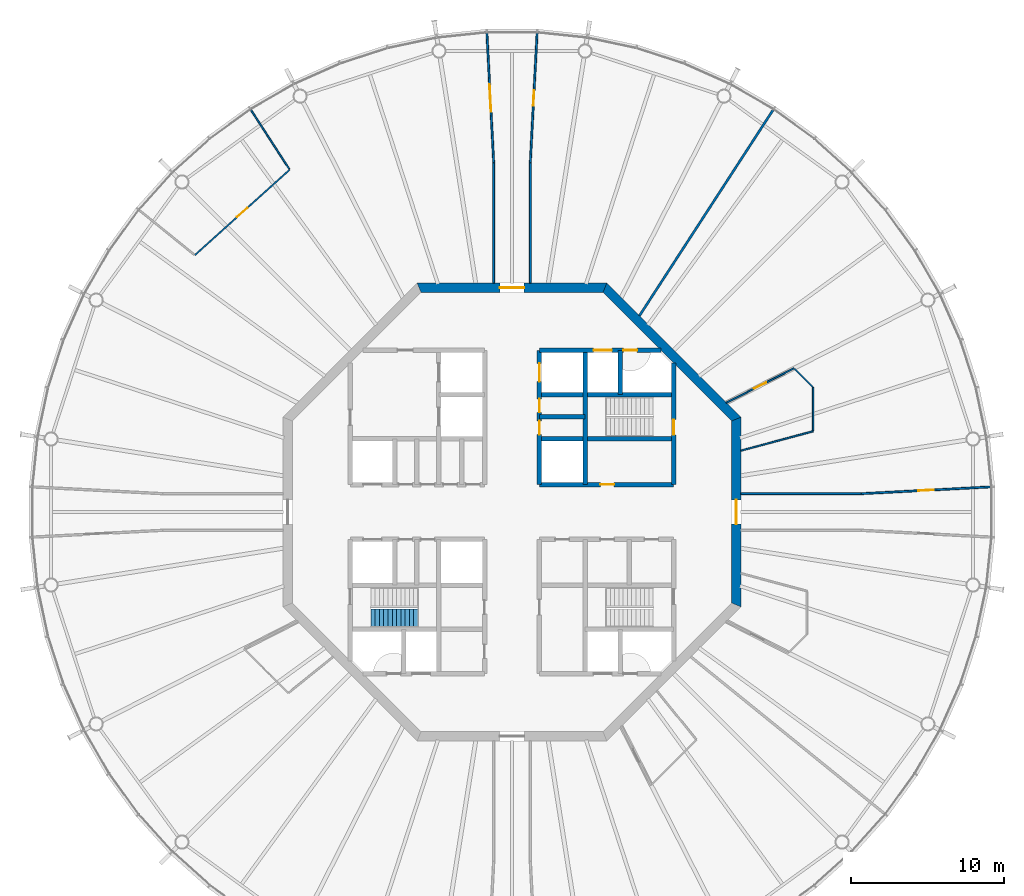
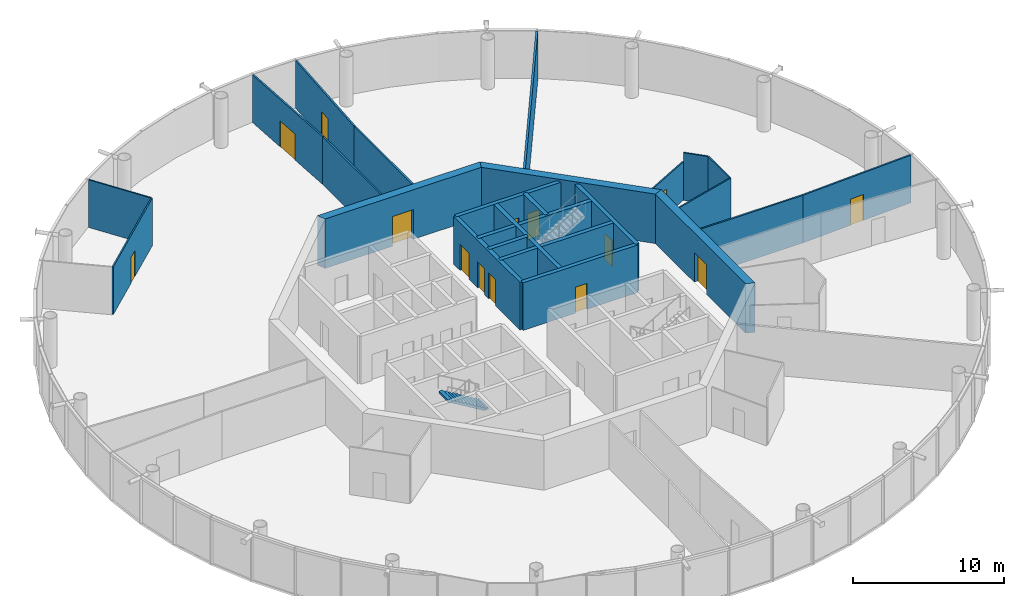
# One storey, part 5 of 18: 25 walls, 14 doors, 1 stair flight, 14 openings, 1 element without a shape of its own.
"""IFC4 building model written with IfcOpenShell, lengths in metres."""

import ifcopenshell
import ifcopenshell.guid

model = None  # the IFC model being written
_history = None  # IfcOwnerHistory: only IFC2X3 demands one
_inside = {}  # id of a spatial element -> (the spatial element, [elements in it])
_under = {}  # id of a project, library or spatial element -> (it, [spatial elements below it])
_declared = {}  # id of a project -> (the project, [libraries it declares])
_typed = {}  # id of a type object -> (the type object, [elements of that type])
_made_of = {}  # id of a material, layer set ... -> (it, [elements and type objects made of it])


def new_model(schema):
    """Start an empty IFC model of exactly this schema.

    Asked for "IFC4X3", IfcOpenShell would pick the latest addendum, in which some entities
    have other attributes; the version numbers below select the first issue.
    IFC2X3 requires an IfcOwnerHistory on every rooted entity: one is made here for all.
    """
    global model, _history
    if schema == "IFC4X3":
        model = ifcopenshell.file(schema_version=(4, 3, 0, 0))
    else:
        model = ifcopenshell.file(schema=schema)
    _inside.clear()
    _under.clear()
    _declared.clear()
    _typed.clear()
    _made_of.clear()
    _history = None
    if model.schema == "IFC2X3":
        org = make("IfcOrganization", Name="unknown")
        user = make(
            "IfcPersonAndOrganization",
            ThePerson=make("IfcPerson", FamilyName="unknown"),
            TheOrganization=org,
        )
        app = make(
            "IfcApplication",
            ApplicationDeveloper=org,
            Version="unknown",
            ApplicationFullName="unknown",
            ApplicationIdentifier="unknown",
        )
        _history = make(
            "IfcOwnerHistory",
            OwningUser=user,
            OwningApplication=app,
            ChangeAction="ADDED",
            CreationDate=0,
        )
    return model


def make(cls, **values):
    """One entity of the class cls with the attributes given. An attribute that is None is left unset."""
    return model.create_entity(
        cls, **{name: value for name, value in values.items() if value is not None}
    )


def rooted(cls, **values):
    """An entity with a GlobalId (a new one), such as an element, a storey or a relation."""
    return make(cls, GlobalId=ifcopenshell.guid.new(), OwnerHistory=_history, **values)


def si_unit(unit_type, name, prefix=None):
    """IfcSIUnit, for example si_unit("LENGTHUNIT", "METRE", prefix="MILLI")."""
    return make("IfcSIUnit", UnitType=unit_type, Prefix=prefix, Name=name)


def assignment(units):
    """IfcUnitAssignment: the units of a project."""
    return None if units is None else make("IfcUnitAssignment", Units=units)


def point(xyz):
    """IfcCartesianPoint."""
    return None if xyz is None else make("IfcCartesianPoint", Coordinates=xyz)


def direction(xyz):
    """IfcDirection."""
    return None if xyz is None else make("IfcDirection", DirectionRatios=xyz)


def frame(location, z_axis=None, x_axis=None):
    """IfcAxis2Placement3D, a coordinate frame: its origin and axes. An axis left out is left unset."""
    return make(
        "IfcAxis2Placement3D",
        Location=point(location),
        Axis=direction(z_axis),
        RefDirection=direction(x_axis),
    )


def frame_2d(location, x_axis=None):
    """IfcAxis2Placement2D, a coordinate frame in the plane: its origin and x axis."""
    return make(
        "IfcAxis2Placement2D", Location=point(location), RefDirection=direction(x_axis)
    )


def origin():
    """The frame at (0, 0, 0) with its axes left unset."""
    return frame((0.0, 0.0, 0.0))


def place(relative_to, where):
    """IfcLocalPlacement: puts the frame where relative to a parent placement (None: the world)."""
    return make(
        "IfcLocalPlacement", PlacementRelTo=relative_to, RelativePlacement=where
    )


def context(
    kind, dimensions, precision=None, world=None, true_north=None, identifier=None
):
    """IfcGeometricRepresentationContext, for example the 3D "Model" context."""
    return make(
        "IfcGeometricRepresentationContext",
        ContextIdentifier=identifier,
        ContextType=kind,
        CoordinateSpaceDimension=dimensions,
        Precision=precision,
        WorldCoordinateSystem=world,
        TrueNorth=true_north,
    )


def subcontext(parent, identifier, kind, view, scale=None):
    """IfcGeometricRepresentationSubContext, for example "Body" below "Model"."""
    return make(
        "IfcGeometricRepresentationSubContext",
        ContextIdentifier=identifier,
        ContextType=kind,
        ParentContext=parent,
        TargetScale=scale,
        TargetView=view,
    )


def project(units=None, contexts=None):
    """IfcProject with its units and contexts."""
    return rooted(
        "IfcProject",
        Name="project",
        RepresentationContexts=contexts,
        UnitsInContext=assignment(units),
    )


def spatial(cls, under=None, at=None, **own):
    """A site, building, storey or space (cls), placed at a placement, below another one or the project."""
    s = rooted(cls, ObjectPlacement=at, **own)
    if under is not None:
        _under.setdefault(under.id(), (under, []))[1].append(s)
    return s


def polyline(points):
    """IfcPolyline through the points."""
    return make("IfcPolyline", Points=[point(p) for p in points])


def profile(cls, at=None, kind="AREA", **sizes):
    """A parametric profile (cls). Its sizes go by their IFC names, for example OverallWidth=200.0."""
    return make(cls, ProfileType=kind, Position=at, **sizes)


def rectangle(**sizes):
    """IfcRectangleProfileDef."""
    return profile("IfcRectangleProfileDef", **sizes)


def outline(outer, holes=None, kind="AREA"):
    """IfcArbitraryClosedProfileDef: a profile drawn as a closed curve; with holes, ...WithVoids."""
    if holes is None:
        return make("IfcArbitraryClosedProfileDef", ProfileType=kind, OuterCurve=outer)
    return make(
        "IfcArbitraryProfileDefWithVoids",
        ProfileType=kind,
        OuterCurve=outer,
        InnerCurves=holes,
    )


def extrude(swept, where, along, depth):
    """IfcExtrudedAreaSolid: the profile swept, set in the frame where, extruded along a direction by depth."""
    return make(
        "IfcExtrudedAreaSolid",
        SweptArea=swept,
        Position=where,
        ExtrudedDirection=direction(along),
        Depth=depth,
    )


def shape(context_of_items, identifier, shape_type, items):
    """IfcShapeRepresentation: the items that make up one representation, for example the "Body"."""
    return make(
        "IfcShapeRepresentation",
        ContextOfItems=context_of_items,
        RepresentationIdentifier=identifier,
        RepresentationType=shape_type,
        Items=items,
    )


def material(Name=None, Category=None):
    """IfcMaterial."""
    return make("IfcMaterial", Name=Name, Category=Category)


def layer(
    of_material, thickness, ventilated=None, Name=None, Category=None, Priority=None
):
    """IfcMaterialLayer: one layer of a wall or slab, of a material (None: an air gap)."""
    return make(
        "IfcMaterialLayer",
        Material=of_material,
        LayerThickness=thickness,
        IsVentilated=ventilated,
        Name=Name,
        Category=Category,
        Priority=Priority,
    )


def layer_set(layers, Name=None):
    """IfcMaterialLayerSet."""
    return make("IfcMaterialLayerSet", MaterialLayers=layers, LayerSetName=Name)


def made_of(thing, what):
    """Note that an element or type object is made of a material, layer set ...; save() writes the relation."""
    if what is not None:
        _made_of.setdefault(what.id(), (what, []))[1].append(thing)
    return thing


def type_object(cls, material=None, **own):
    """A type object (cls), such as IfcWallType, which elements share."""
    return made_of(rooted(cls, **own), material)


def element(
    cls,
    number,
    at=None,
    inside=None,
    cuts=None,
    type_object=None,
    material=None,
    context=None,
    identifier="Body",
    shape_type=None,
    held_by="IfcProductDefinitionShape",
    body=None,
    shapes=None,
    **own,
):
    """One element of the class cls, such as IfcWall. Its Tag is "e" and its number.

    at: its placement. inside: the storey or other place that contains it. cuts: it is an
    opening in that element (IfcRelVoidsElement). A single representation is given by context,
    identifier, shape_type and body (its items); several are given by shapes. held_by: the class
    of the entity that holds the representations. save() writes the other relations.
    """
    e = rooted(cls, Tag="e%d" % number, ObjectPlacement=at, **own)
    if body is not None:
        shapes = [shape(context, identifier, shape_type, body)]
    if shapes is not None:
        e.Representation = make(held_by, Representations=shapes)
    if inside is not None:
        _inside.setdefault(inside.id(), (inside, []))[1].append(e)
    if cuts is not None:
        rooted(
            "IfcRelVoidsElement", RelatingBuildingElement=cuts, RelatedOpeningElement=e
        )
    if type_object is not None:
        _typed.setdefault(type_object.id(), (type_object, []))[1].append(e)
    return made_of(e, material)


def fill(opening, filler):
    """IfcRelFillsElement: the door or window that sits in an opening."""
    return rooted(
        "IfcRelFillsElement",
        RelatingOpeningElement=opening,
        RelatedBuildingElement=filler,
    )


def aggregate(whole, parts):
    """IfcRelAggregates: a whole, such as a stair, and the parts it consists of."""
    return rooted("IfcRelAggregates", RelatingObject=whole, RelatedObjects=parts)


def save(model, path):
    """Write the relations noted so far, then the file.

    IfcRelAggregates (storeys below a building ...), IfcRelContainedInSpatialStructure (elements
    in a storey), IfcRelDefinesByType, IfcRelAssociatesMaterial and IfcRelDeclares: one each for
    every whole, place, type object, material and project.
    """
    for whole, parts in _under.values():
        aggregate(whole, parts)
    for where, things in _inside.values():
        rooted(
            "IfcRelContainedInSpatialStructure",
            RelatedElements=things,
            RelatingStructure=where,
        )
    for kind, things in _typed.values():
        rooted("IfcRelDefinesByType", RelatedObjects=things, RelatingType=kind)
    for what, things in _made_of.values():
        rooted("IfcRelAssociatesMaterial", RelatedObjects=things, RelatingMaterial=what)
    for by, libraries in _declared.values():
        rooted("IfcRelDeclares", RelatingContext=by, RelatedDefinitions=libraries)
    model.write(path)


model = new_model("IFC4")

# Units and contexts
model_context = context("Model", 3, precision=1e-05, world=origin(), true_north=direction((0.0, 1.0)))
body_context = subcontext(model_context, "Body", "Model", "MODEL_VIEW")
ifc_project = project(units=[si_unit("LENGTHUNIT", "METRE"), si_unit("AREAUNIT", "SQUARE_METRE"), si_unit("VOLUMEUNIT", "CUBIC_METRE"), si_unit("PLANEANGLEUNIT", "RADIAN"), si_unit("MASSUNIT", "GRAM", prefix="KILO")], contexts=[model_context])

# Site, building, storey
site_placement = place(None, origin())
site = spatial("IfcSite", under=ifc_project, at=site_placement, CompositionType="ELEMENT")
building_placement = place(site_placement, origin())
building = spatial("IfcBuilding", under=site, at=building_placement, Name="Entoto Ring Tower", CompositionType="ELEMENT")
storey_placement = place(building_placement, frame((0.0, 0.0, 352.0)))
storey = spatial("IfcBuildingStorey", under=building, at=storey_placement, Name="L81", CompositionType="ELEMENT", Elevation=352.0)

# Wall, opening, door
ifc_material_1 = material(Name="Concrete C40/50", Category="concrete")
ifc_layer_1 = layer(ifc_material_1, 0.300048828125)
ifc_layer_set_1 = layer_set([ifc_layer_1], Name="Concrete C40/50")
wall_type_1 = type_object("IfcWallType", Name="Core enclosure wall 300 mm reinforced concrete", PredefinedType="SOLIDWALL", material=ifc_layer_set_1)
wall_1_placement = place(storey_placement, frame((100.60009765625, 81.800048828125, 0.0), z_axis=(0.0, 0.0, 1.0), x_axis=(0.0, 1.0, 0.0)))
wall_1 = element("IfcWall", 1, at=wall_1_placement, inside=storey, type_object=wall_type_1, Name="wall-L81-002", PredefinedType="SOLIDWALL", context=body_context, shape_type="SweptSolid", body=[
    extrude(rectangle(XDim=7.964599609375, YDim=0.300048828125, at=frame_2d((3.982421875, 0.0))), origin(), (0.0, 0.0, 1.0), 3.85009765625),
])
opening_1_placement = place(wall_1_placement, frame((3.25, 0.0, 0.0)))
opening_1 = element("IfcOpeningElement", 2, at=opening_1_placement, cuts=wall_1, Name="Opening K-26", PredefinedType="OPENING", context=body_context, shape_type="SweptSolid", body=[
    extrude(rectangle(XDim=1.0, YDim=2.10009765625, at=frame_2d((0.5, 1.050048828125))), frame((0.0, 0.16015625, 0.0), z_axis=(0.0, -1.0, 0.0), x_axis=(1.0, 0.0, 0.0)), (0.0, 0.0, 1.0), 0.320068359375),
])
ifc_material_2 = material(Name="Steel door leaf, fire rated", Category="steel")
ifc_layer_2 = layer(ifc_material_2, 0.050048828125)
ifc_layer_set_2 = layer_set([ifc_layer_2], Name="Steel door leaf, fire rated")
door_type_1 = type_object("IfcDoorType", Name="Fire door FD60 1000 x 2100 single leaf", OperationType="NOTDEFINED", PredefinedType="DOOR", material=ifc_layer_set_2)
door_1_placement = place(opening_1_placement, origin())
door_1 = element("IfcDoor", 3, at=door_1_placement, inside=storey, type_object=door_type_1, Name="Door K-26", OperationType="SINGLE_SWING_LEFT", OverallHeight=2.10009765625, OverallWidth=1.0, PredefinedType="DOOR", context=body_context, shape_type="SweptSolid", body=[
    extrude(rectangle(XDim=1.0, YDim=2.10009765625, at=frame_2d((0.5, 1.050048828125))), frame((0.0, 0.02490234375, 0.0), z_axis=(0.0, -1.0, 0.0), x_axis=(1.0, 0.0, 0.0)), (0.0, 0.0, 1.0), 0.050048828125),
])
fill(opening_1, door_1)

# Walls
wall_2_placement = place(storey_placement, frame((97.10009765625, 87.699951171875, 0.0), z_axis=(0.0, 0.0, 1.0), x_axis=(0.0, 1.0, 0.0)))
element("IfcWall", 4, at=wall_2_placement, inside=storey, type_object=wall_type_1, Name="wall-L81-005", PredefinedType="SOLIDWALL", context=body_context, shape_type="SweptSolid", body=[
    extrude(rectangle(XDim=2.900146484375, YDim=0.300048828125, at=frame_2d((1.4501953125, 0.0))), origin(), (0.0, 0.0, 1.0), 3.85009765625),
])
wall_3_placement = place(storey_placement, frame((94.800048828125, 81.800048828125, 0.0), z_axis=(0.0, 0.0, 1.0), x_axis=(0.0, 1.0, 0.0)))
element("IfcWall", 5, at=wall_3_placement, inside=storey, type_object=wall_type_1, Name="wall-L81-007", PredefinedType="SOLIDWALL", context=body_context, shape_type="SweptSolid", body=[
    extrude(rectangle(XDim=8.800048828125, YDim=0.300048828125, at=frame_2d((4.39990234375, 0.0))), origin(), (0.0, 0.0, 1.0), 3.85009765625),
])

# Wall, openings, doors
wall_4_placement = place(storey_placement, frame((91.800048828125, 81.800048828125, 0.0), z_axis=(0.0, 0.0, 1.0), x_axis=(0.0, 1.0, 0.0)))
wall_4 = element("IfcWall", 6, at=wall_4_placement, inside=storey, type_object=wall_type_1, Name="wall-L81-009", PredefinedType="SOLIDWALL", context=body_context, shape_type="SweptSolid", body=[
    extrude(rectangle(XDim=8.800048828125, YDim=0.300048828125, at=frame_2d((4.39990234375, 0.0))), origin(), (0.0, 0.0, 1.0), 3.85009765625),
])
opening_2_placement = place(wall_4_placement, frame((6.75, 0.0, 0.0)))
opening_2 = element("IfcOpeningElement", 7, at=opening_2_placement, cuts=wall_4, Name="Opening LD", PredefinedType="OPENING", context=body_context, shape_type="SweptSolid", body=[
    extrude(rectangle(XDim=1.199951171875, YDim=2.10009765625, at=frame_2d((0.60009765625, 1.050048828125))), frame((0.0, 0.16015625, 0.0), z_axis=(0.0, -1.0, 0.0), x_axis=(1.0, 0.0, 0.0)), (0.0, 0.0, 1.0), 0.320068359375),
])
opening_3_placement = place(wall_4_placement, frame((3.27490234375, 0.0, 0.0)))
opening_3 = element("IfcOpeningElement", 8, at=opening_3_placement, cuts=wall_4, Name="Opening K-18", PredefinedType="OPENING", context=body_context, shape_type="SweptSolid", body=[
    extrude(rectangle(XDim=0.89990234375, YDim=2.10009765625, at=frame_2d((0.449951171875, 1.050048828125))), frame((0.0, 0.16015625, 0.0), z_axis=(0.0, -1.0, 0.0), x_axis=(1.0, 0.0, 0.0)), (0.0, 0.0, 1.0), 0.320068359375),
])
opening_4_placement = place(wall_4_placement, frame((4.72509765625, 0.0, 0.0)))
opening_4 = element("IfcOpeningElement", 9, at=opening_4_placement, cuts=wall_4, Name="Opening K-19", PredefinedType="OPENING", context=body_context, shape_type="SweptSolid", body=[
    extrude(rectangle(XDim=0.89990234375, YDim=2.10009765625, at=frame_2d((0.449951171875, 1.050048828125))), frame((0.0, 0.16015625, 0.0), z_axis=(0.0, -1.0, 0.0), x_axis=(1.0, 0.0, 0.0)), (0.0, 0.0, 1.0), 0.320068359375),
])
ifc_material_3 = material(Name="Steel door leaf, fire rated", Category="steel")
ifc_layer_3 = layer(ifc_material_3, 0.050048828125)
ifc_layer_set_3 = layer_set([ifc_layer_3], Name="Steel door leaf, fire rated")
door_type_2 = type_object("IfcDoorType", Name="Core door 900 x 2100 single leaf", OperationType="NOTDEFINED", PredefinedType="DOOR", material=ifc_layer_set_3)
door_2_placement = place(opening_3_placement, frame((0.89990234375, 0.0, 0.0), z_axis=(0.0, 0.0, 1.0), x_axis=(-1.0, 0.0, 0.0)))
door_2 = element("IfcDoor", 10, at=door_2_placement, inside=storey, type_object=door_type_2, Name="Door K-18", OperationType="SINGLE_SWING_LEFT", OverallHeight=2.10009765625, OverallWidth=0.89990234375, PredefinedType="DOOR", context=body_context, shape_type="SweptSolid", body=[
    extrude(rectangle(XDim=0.89990234375, YDim=2.10009765625, at=frame_2d((0.449951171875, 1.050048828125))), frame((0.0, 0.02490234375, 0.0), z_axis=(0.0, -1.0, 0.0), x_axis=(1.0, 0.0, 0.0)), (0.0, 0.0, 1.0), 0.050048828125),
])
fill(opening_3, door_2)
door_3_placement = place(opening_4_placement, frame((0.89990234375, 0.0, 0.0), z_axis=(0.0, 0.0, 1.0), x_axis=(-1.0, 0.0, 0.0)))
door_3 = element("IfcDoor", 11, at=door_3_placement, inside=storey, type_object=door_type_2, Name="Door K-19", OperationType="SINGLE_SWING_RIGHT", OverallHeight=2.10009765625, OverallWidth=0.89990234375, PredefinedType="DOOR", context=body_context, shape_type="SweptSolid", body=[
    extrude(rectangle(XDim=0.89990234375, YDim=2.10009765625, at=frame_2d((0.449951171875, 1.050048828125))), frame((0.0, 0.02490234375, 0.0), z_axis=(0.0, -1.0, 0.0), x_axis=(1.0, 0.0, 0.0)), (0.0, 0.0, 1.0), 0.050048828125),
])
fill(opening_4, door_3)
ifc_material_4 = material(Name="Steel and glass door leaf", Category="steel")
ifc_layer_4 = layer(ifc_material_4, 0.050048828125)
ifc_layer_set_4 = layer_set([ifc_layer_4], Name="Steel and glass door leaf")
door_type_3 = type_object("IfcDoorType", Name="Landing door 1200 x 2100 sliding", OperationType="DOUBLE_DOOR_SLIDING", PredefinedType="DOOR", material=ifc_layer_set_4)
door_4_placement = place(opening_2_placement, origin())
door_4 = element("IfcDoor", 12, at=door_4_placement, inside=storey, type_object=door_type_3, Name="Landing door SH3", OperationType="SLIDING_TO_RIGHT", OverallHeight=2.10009765625, OverallWidth=1.199951171875, PredefinedType="DOOR", context=body_context, shape_type="SweptSolid", body=[
    extrude(rectangle(XDim=1.199951171875, YDim=2.10009765625, at=frame_2d((0.60009765625, 1.050048828125))), frame((0.0, 0.02490234375, 0.0), z_axis=(0.0, -1.0, 0.0), x_axis=(1.0, 0.0, 0.0)), (0.0, 0.0, 1.0), 0.050048828125),
])
fill(opening_2, door_4)

# Wall, opening, door
wall_5_placement = place(storey_placement, frame((91.800048828125, 81.800048828125, 0.0), z_axis=(0.0, 0.0, 1.0), x_axis=(1.0, 0.0, 0.0)))
wall_5 = element("IfcWall", 13, at=wall_5_placement, inside=storey, type_object=wall_type_1, Name="wall-L81-031", PredefinedType="SOLIDWALL", context=body_context, shape_type="SweptSolid", body=[
    extrude(rectangle(XDim=8.800048828125, YDim=0.300048828125, at=frame_2d((4.39990234375, 0.0))), origin(), (0.0, 0.0, 1.0), 3.85009765625),
])
opening_5_placement = place(wall_5_placement, frame((4.0, 0.0, 0.0)))
opening_5 = element("IfcOpeningElement", 14, at=opening_5_placement, cuts=wall_5, Name="Opening K-11", PredefinedType="OPENING", context=body_context, shape_type="SweptSolid", body=[
    extrude(rectangle(XDim=0.89990234375, YDim=2.10009765625, at=frame_2d((0.449951171875, 1.050048828125))), frame((0.0, 0.16015625, 0.0), z_axis=(0.0, -1.0, 0.0), x_axis=(1.0, 0.0, 0.0)), (0.0, 0.0, 1.0), 0.320068359375),
])
door_5_placement = place(opening_5_placement, origin())
door_5 = element("IfcDoor", 15, at=door_5_placement, inside=storey, type_object=door_type_2, Name="Door K-11", OperationType="SINGLE_SWING_LEFT", OverallHeight=2.10009765625, OverallWidth=0.89990234375, PredefinedType="DOOR", context=body_context, shape_type="SweptSolid", body=[
    extrude(rectangle(XDim=0.89990234375, YDim=2.10009765625, at=frame_2d((0.449951171875, 1.050048828125))), frame((0.0, 0.02490234375, 0.0), z_axis=(0.0, -1.0, 0.0), x_axis=(1.0, 0.0, 0.0)), (0.0, 0.0, 1.0), 0.050048828125),
])
fill(opening_5, door_5)

# Walls
wall_6_placement = place(storey_placement, frame((91.800048828125, 84.800048828125, 0.0), z_axis=(0.0, 0.0, 1.0), x_axis=(1.0, 0.0, 0.0)))
element("IfcWall", 16, at=wall_6_placement, inside=storey, type_object=wall_type_1, Name="wall-L81-033", PredefinedType="SOLIDWALL", context=body_context, shape_type="SweptSolid", body=[
    extrude(rectangle(XDim=8.800048828125, YDim=0.300048828125, at=frame_2d((4.39990234375, 0.0))), origin(), (0.0, 0.0, 1.0), 3.85009765625),
])
wall_7_placement = place(storey_placement, frame((91.800048828125, 86.25, 0.0), z_axis=(0.0, 0.0, 1.0), x_axis=(1.0, 0.0, 0.0)))
element("IfcWall", 17, at=wall_7_placement, inside=storey, type_object=wall_type_1, Name="wall-L81-034", PredefinedType="SOLIDWALL", context=body_context, shape_type="SweptSolid", body=[
    extrude(rectangle(XDim=3.0, YDim=0.300048828125, at=frame_2d((1.5, 0.0))), origin(), (0.0, 0.0, 1.0), 3.85009765625),
])
wall_8_placement = place(storey_placement, frame((91.800048828125, 87.699951171875, 0.0), z_axis=(0.0, 0.0, 1.0), x_axis=(1.0, 0.0, 0.0)))
element("IfcWall", 18, at=wall_8_placement, inside=storey, type_object=wall_type_1, Name="wall-L81-036", PredefinedType="SOLIDWALL", context=body_context, shape_type="SweptSolid", body=[
    extrude(rectangle(XDim=8.800048828125, YDim=0.300048828125, at=frame_2d((4.39990234375, 0.0))), origin(), (0.0, 0.0, 1.0), 3.85009765625),
])

# Wall, openings, doors
wall_9_placement = place(storey_placement, frame((91.800048828125, 90.60009765625, 0.0), z_axis=(0.0, 0.0, 1.0), x_axis=(1.0, 0.0, 0.0)))
wall_9 = element("IfcWall", 19, at=wall_9_placement, inside=storey, type_object=wall_type_1, Name="wall-L81-038", PredefinedType="SOLIDWALL", context=body_context, shape_type="SweptSolid", body=[
    extrude(rectangle(XDim=7.964599609375, YDim=0.300048828125, at=frame_2d((3.982421875, 0.0))), origin(), (0.0, 0.0, 1.0), 3.85009765625),
])
opening_6_placement = place(wall_9_placement, frame((3.550048828125, 0.0, 0.0)))
opening_6 = element("IfcOpeningElement", 20, at=opening_6_placement, cuts=wall_9, Name="Opening LD", PredefinedType="OPENING", context=body_context, shape_type="SweptSolid", body=[
    extrude(rectangle(XDim=1.199951171875, YDim=2.10009765625, at=frame_2d((0.60009765625, 1.050048828125))), frame((0.0, 0.16015625, 0.0), z_axis=(0.0, -1.0, 0.0), x_axis=(1.0, 0.0, 0.0)), (0.0, 0.0, 1.0), 0.320068359375),
])
opening_7_placement = place(wall_9_placement, frame((5.5, 0.0, 0.0)))
opening_7 = element("IfcOpeningElement", 21, at=opening_7_placement, cuts=wall_9, Name="Opening K-83", PredefinedType="OPENING", context=body_context, shape_type="SweptSolid", body=[
    extrude(rectangle(XDim=0.89990234375, YDim=2.10009765625, at=frame_2d((0.449951171875, 1.050048828125))), frame((0.0, 0.16015625, 0.0), z_axis=(0.0, -1.0, 0.0), x_axis=(1.0, 0.0, 0.0)), (0.0, 0.0, 1.0), 0.320068359375),
])
door_6_placement = place(opening_6_placement, origin())
door_6 = element("IfcDoor", 22, at=door_6_placement, inside=storey, type_object=door_type_3, Name="Landing door LB1-HR", OperationType="SLIDING_TO_RIGHT", OverallHeight=2.10009765625, OverallWidth=1.199951171875, PredefinedType="DOOR", context=body_context, shape_type="SweptSolid", body=[
    extrude(rectangle(XDim=1.199951171875, YDim=2.10009765625, at=frame_2d((0.60009765625, 1.050048828125))), frame((0.0, 0.02490234375, 0.0), z_axis=(0.0, -1.0, 0.0), x_axis=(1.0, 0.0, 0.0)), (0.0, 0.0, 1.0), 0.050048828125),
])
fill(opening_6, door_6)
ifc_material_5 = material(Name="Steel door leaf, fire rated", Category="steel")
ifc_layer_5 = layer(ifc_material_5, 0.050048828125)
ifc_layer_set_5 = layer_set([ifc_layer_5], Name="Steel door leaf, fire rated")
door_type_4 = type_object("IfcDoorType", Name="Riser door FD60 900 x 2100 single leaf", OperationType="NOTDEFINED", PredefinedType="DOOR", material=ifc_layer_set_5)
door_7_placement = place(opening_7_placement, frame((0.89990234375, 0.0, 0.0), z_axis=(0.0, 0.0, 1.0), x_axis=(-1.0, 0.0, 0.0)))
door_7 = element("IfcDoor", 23, at=door_7_placement, inside=storey, type_object=door_type_4, Name="Door K-83", OperationType="SINGLE_SWING_RIGHT", OverallHeight=2.10009765625, OverallWidth=0.89990234375, PredefinedType="DOOR", context=body_context, shape_type="SweptSolid", body=[
    extrude(rectangle(XDim=0.89990234375, YDim=2.10009765625, at=frame_2d((0.449951171875, 1.050048828125))), frame((0.0, 0.02490234375, 0.0), z_axis=(0.0, -1.0, 0.0), x_axis=(1.0, 0.0, 0.0)), (0.0, 0.0, 1.0), 0.050048828125),
])
fill(opening_7, door_7)

# Wall, opening, door
ifc_material_6 = material(Name="Concrete C40/50", Category="concrete")
ifc_layer_6 = layer(ifc_material_6, 0.60009765625)
ifc_layer_set_6 = layer_set([ifc_layer_6], Name="Concrete C40/50")
wall_type_2 = type_object("IfcWallType", Name="Core shear wall 600 mm reinforced concrete C40/50", PredefinedType="SHEAR", material=ifc_layer_set_6)
wall_10_placement = place(storey_placement, frame((104.699951171875, 73.9111328125, 0.0), z_axis=(0.0, 0.0, 1.0), x_axis=(0.0, 1.0, 0.0)))
wall_10 = element("IfcWall", 24, at=wall_10_placement, inside=storey, type_object=wall_type_2, Name="wall-L81-core-0", PredefinedType="SHEAR", context=body_context, shape_type="SweptSolid", body=[
    extrude(outline(polyline([(-0.124267578125, -0.300048828125), (12.302001953125, -0.300048828125), (12.053466796875, 0.300048828125), (0.124267578125, 0.300048828125), (-0.124267578125, -0.300048828125)])), origin(), (0.0, 0.0, 1.0), 4.0),
])
opening_8_placement = place(wall_10_placement, frame((5.288818359375, 0.0, 0.0)))
opening_8 = element("IfcOpeningElement", 25, at=opening_8_placement, cuts=wall_10, Name="Opening K-01", PredefinedType="OPENING", context=body_context, shape_type="SweptSolid", body=[
    extrude(rectangle(XDim=1.60009765625, YDim=2.39990234375, at=frame_2d((0.800048828125, 1.199951171875))), frame((0.0, 0.31005859375, 0.0), z_axis=(0.0, -1.0, 0.0), x_axis=(1.0, 0.0, 0.0)), (0.0, 0.0, 1.0), 0.6201171875),
])
ifc_material_7 = material(Name="Steel door leaf, fire rated", Category="steel")
ifc_layer_7 = layer(ifc_material_7, 0.050048828125)
ifc_layer_set_7 = layer_set([ifc_layer_7], Name="Steel door leaf, fire rated")
door_type_5 = type_object("IfcDoorType", Name="Entrance door FD60 1600 x 2400 double leaf", OperationType="DOUBLE_DOOR_SINGLE_SWING", PredefinedType="DOOR", material=ifc_layer_set_7)
door_8_placement = place(opening_8_placement, origin())
door_8 = element("IfcDoor", 26, at=door_8_placement, inside=storey, type_object=door_type_5, Name="Entrance door K-01", OperationType="DOUBLE_DOOR_SINGLE_SWING", OverallHeight=2.39990234375, OverallWidth=1.60009765625, PredefinedType="DOOR", context=body_context, shape_type="SweptSolid", body=[
    extrude(rectangle(XDim=1.60009765625, YDim=2.39990234375, at=frame_2d((0.800048828125, 1.199951171875))), frame((0.0, 0.02490234375, 0.0), z_axis=(0.0, -1.0, 0.0), x_axis=(1.0, 0.0, 0.0)), (0.0, 0.0, 1.0), 0.050048828125),
])
fill(opening_8, door_8)

# Wall
wall_11_placement = place(storey_placement, frame((104.699951171875, 86.0888671875, 0.0), z_axis=(0.0, 0.0, 1.0), x_axis=(-0.707106781187, 0.707106781187, 0.0)))
element("IfcWall", 27, at=wall_11_placement, inside=storey, type_object=wall_type_2, Name="wall-L81-core-1", PredefinedType="SHEAR", context=body_context, shape_type="SweptSolid", body=[
    extrude(outline(polyline([(-0.124267578125, -0.300048828125), (12.30224609375, -0.300048828125), (12.0537109375, 0.300048828125), (0.124267578125, 0.300048828125), (-0.124267578125, -0.300048828125)])), origin(), (0.0, 0.0, 1.0), 4.0),
])

# Wall, opening, door
wall_12_placement = place(storey_placement, frame((96.0888671875, 94.699951171875, 0.0), z_axis=(0.0, 0.0, 1.0), x_axis=(-1.0, 0.0, 0.0)))
wall_12 = element("IfcWall", 28, at=wall_12_placement, inside=storey, type_object=wall_type_2, Name="wall-L81-core-2", PredefinedType="SHEAR", context=body_context, shape_type="SweptSolid", body=[
    extrude(outline(polyline([(-0.124267578125, -0.300048828125), (12.302001953125, -0.300048828125), (12.053466796875, 0.300048828125), (0.124267578125, 0.300048828125), (-0.124267578125, -0.300048828125)])), origin(), (0.0, 0.0, 1.0), 4.0),
])
opening_9_placement = place(wall_12_placement, frame((5.288818359375, 0.0, 0.0)))
opening_9 = element("IfcOpeningElement", 29, at=opening_9_placement, cuts=wall_12, Name="Opening K-02", PredefinedType="OPENING", context=body_context, shape_type="SweptSolid", body=[
    extrude(rectangle(XDim=1.60009765625, YDim=2.39990234375, at=frame_2d((0.800048828125, 1.199951171875))), frame((0.0, 0.31005859375, 0.0), z_axis=(0.0, -1.0, 0.0), x_axis=(1.0, 0.0, 0.0)), (0.0, 0.0, 1.0), 0.6201171875),
])
door_9_placement = place(opening_9_placement, origin())
door_9 = element("IfcDoor", 30, at=door_9_placement, inside=storey, type_object=door_type_5, Name="Entrance door K-02", OperationType="DOUBLE_DOOR_SINGLE_SWING", OverallHeight=2.39990234375, OverallWidth=1.60009765625, PredefinedType="DOOR", context=body_context, shape_type="SweptSolid", body=[
    extrude(rectangle(XDim=1.60009765625, YDim=2.39990234375, at=frame_2d((0.800048828125, 1.199951171875))), frame((0.0, 0.02490234375, 0.0), z_axis=(0.0, -1.0, 0.0), x_axis=(1.0, 0.0, 0.0)), (0.0, 0.0, 1.0), 0.050048828125),
])
fill(opening_9, door_9)

ifc_material_8 = material(Name="Fire-resisting plasterboard on steel studs", Category="steel")
ifc_layer_8 = layer(ifc_material_8, 0.125)
ifc_layer_set_8 = layer_set([ifc_layer_8], Name="Fire-resisting plasterboard on steel studs")
wall_type_3 = type_object("IfcWallType", Name="Corridor wall 125 mm one-hour plasterboard on steel studs", PredefinedType="PARTITIONING", material=ifc_layer_set_8)
wall_13_placement = place(storey_placement, frame((88.800048828125, 102.8974609375, 0.0), z_axis=(0.0, 0.0, 1.0), x_axis=(-0.05234956051, 0.998628821692, 0.0)))
wall_13 = element("IfcWall", 31, at=wall_13_placement, inside=storey, type_object=wall_type_3, Name="partition-L81-004", PredefinedType="PARTITIONING", context=body_context, shape_type="SweptSolid", body=[
    extrude(rectangle(XDim=8.51123046875, YDim=0.125, at=frame_2d((4.255615234375, 0.0))), origin(), (0.0, 0.0, 1.0), 3.85009765625),
])
opening_10_placement = place(wall_13_placement, frame((3.355712890625, 0.0, 0.0)))
opening_10 = element("IfcOpeningElement", 32, at=opening_10_placement, cuts=wall_13, Name="Opening A35-D04", PredefinedType="OPENING", context=body_context, shape_type="SweptSolid", body=[
    extrude(rectangle(XDim=1.800048828125, YDim=2.10009765625, at=frame_2d((0.89990234375, 1.050048828125))), frame((0.0, 0.072509765625, 0.0), z_axis=(0.0, -1.0, 0.0), x_axis=(1.0, 0.0, 0.0)), (0.0, 0.0, 1.0), 0.14501953125),
])
ifc_material_9 = material(Name="Fire-resisting timber door set", Category="wood")
door_type_6 = type_object("IfcDoorType", Name="Door 1800 x 2100 double leaf FD30S fire door", OperationType="DOUBLE_DOOR_SINGLE_SWING", PredefinedType="DOOR", material=ifc_material_9)
door_10_placement = place(opening_10_placement, frame((1.800048828125, 0.0, 0.0), z_axis=(0.0, 0.0, 1.0), x_axis=(-1.0, 0.0, 0.0)))
door_10 = element("IfcDoor", 33, at=door_10_placement, inside=storey, type_object=door_type_6, Name="Door A35-D04", OperationType="DOUBLE_DOOR_SINGLE_SWING", OverallHeight=2.10009765625, OverallWidth=1.800048828125, PredefinedType="DOOR", context=body_context, shape_type="SweptSolid", body=[
    extrude(rectangle(XDim=1.800048828125, YDim=2.10009765625, at=frame_2d((0.89990234375, 1.050048828125))), frame((0.0, 0.02490234375, 0.0), z_axis=(0.0, -1.0, 0.0), x_axis=(1.0, 0.0, 0.0)), (0.0, 0.0, 1.0), 0.050048828125),
])
fill(opening_10, door_10)

wall_14_placement = place(storey_placement, frame((91.199951171875, 102.8974609375, 0.0), z_axis=(0.0, 0.0, 1.0), x_axis=(0.05234956051, 0.998628821692, 0.0)))
wall_14 = element("IfcWall", 34, at=wall_14_placement, inside=storey, type_object=wall_type_3, Name="partition-L81-005", PredefinedType="PARTITIONING", context=body_context, shape_type="SweptSolid", body=[
    extrude(rectangle(XDim=8.51123046875, YDim=0.125, at=frame_2d((4.255615234375, 0.0))), origin(), (0.0, 0.0, 1.0), 3.85009765625),
])
opening_11_placement = place(wall_14_placement, frame((3.755615234375, 0.0, 0.0)))
opening_11 = element("IfcOpeningElement", 35, at=opening_11_placement, cuts=wall_14, Name="Opening A35-D03", PredefinedType="OPENING", context=body_context, shape_type="SweptSolid", body=[
    extrude(rectangle(XDim=1.0, YDim=2.10009765625, at=frame_2d((0.5, 1.050048828125))), frame((0.0, 0.072509765625, 0.0), z_axis=(0.0, -1.0, 0.0), x_axis=(1.0, 0.0, 0.0)), (0.0, 0.0, 1.0), 0.14501953125),
])
ifc_material_10 = material(Name="Fire-resisting timber door set", Category="wood")
door_type_7 = type_object("IfcDoorType", Name="Door 1000 x 2100 single leaf FD30S fire door", OperationType="NOTDEFINED", PredefinedType="DOOR", material=ifc_material_10)
door_11_placement = place(opening_11_placement, frame((1.0, 0.0, 0.0), z_axis=(0.0, 0.0, 1.0), x_axis=(-1.0, 0.0, 0.0)))
door_11 = element("IfcDoor", 36, at=door_11_placement, inside=storey, type_object=door_type_7, Name="Door A35-D03", OperationType="SINGLE_SWING_LEFT", OverallHeight=2.10009765625, OverallWidth=1.0, PredefinedType="DOOR", context=body_context, shape_type="SweptSolid", body=[
    extrude(rectangle(XDim=1.0, YDim=2.10009765625, at=frame_2d((0.5, 1.050048828125))), frame((0.0, 0.02490234375, 0.0), z_axis=(0.0, -1.0, 0.0), x_axis=(1.0, 0.0, 0.0)), (0.0, 0.0, 1.0), 0.050048828125),
])
fill(opening_11, door_11)

wall_15_placement = place(storey_placement, frame((112.8974609375, 81.199951171875, 0.0), z_axis=(0.0, 0.0, 1.0), x_axis=(0.998628821692, 0.05234956051, 0.0)))
wall_15 = element("IfcWall", 37, at=wall_15_placement, inside=storey, type_object=wall_type_3, Name="partition-L81-007", PredefinedType="PARTITIONING", context=body_context, shape_type="SweptSolid", body=[
    extrude(rectangle(XDim=8.51123046875, YDim=0.125, at=frame_2d((4.255615234375, 0.0))), origin(), (0.0, 0.0, 1.0), 3.85009765625),
])
opening_12_placement = place(wall_15_placement, frame((3.755615234375, 0.0, 0.0)))
opening_12 = element("IfcOpeningElement", 38, at=opening_12_placement, cuts=wall_15, Name="Opening A35-D01", PredefinedType="OPENING", context=body_context, shape_type="SweptSolid", body=[
    extrude(rectangle(XDim=1.0, YDim=2.10009765625, at=frame_2d((0.5, 1.050048828125))), frame((0.0, 0.072509765625, 0.0), z_axis=(0.0, -1.0, 0.0), x_axis=(1.0, 0.0, 0.0)), (0.0, 0.0, 1.0), 0.14501953125),
])
door_12_placement = place(opening_12_placement, origin())
door_12 = element("IfcDoor", 39, at=door_12_placement, inside=storey, type_object=door_type_7, Name="Door A35-D01", OperationType="SINGLE_SWING_RIGHT", OverallHeight=2.10009765625, OverallWidth=1.0, PredefinedType="DOOR", context=body_context, shape_type="SweptSolid", body=[
    extrude(rectangle(XDim=1.0, YDim=2.10009765625, at=frame_2d((0.5, 1.050048828125))), frame((0.0, 0.02490234375, 0.0), z_axis=(0.0, -1.0, 0.0), x_axis=(1.0, 0.0, 0.0)), (0.0, 0.0, 1.0), 0.050048828125),
])
fill(opening_12, door_12)

# Walls
for number, where, z_axis, x_axis, name in (
    (40, (88.800048828125, 95.0, 0.0), (0.0, 0.0, 1.0), (0.0, 1.0, 0.0), "partition-L81-012"),
    (41, (91.199951171875, 95.0, 0.0), (0.0, 0.0, 1.0), (0.0, 1.0, 0.0), "partition-L81-014"),
    (42, (105.0, 81.199951171875, 0.0), (0.0, 0.0, 1.0), (1.0, 0.0, 0.0), "partition-L81-016"),
):
    element("IfcWall", number, at=place(storey_placement, frame(where, z_axis=z_axis, x_axis=x_axis)), inside=storey, type_object=wall_type_3, Name=name, PredefinedType="PARTITIONING", context=body_context, shape_type="SweptSolid", body=[
        extrude(rectangle(XDim=7.89404296875, YDim=0.125, at=frame_2d((3.947021484375, 0.0))), origin(), (0.0, 0.0, 1.0), 3.85009765625),
    ])

# Wall, opening, door
ifc_material_11 = material(Name="Plasterboard on steel studs", Category="steel")
ifc_layer_9 = layer(ifc_material_11, 0.10009765625)
ifc_layer_set_9 = layer_set([ifc_layer_9], Name="Plasterboard on steel studs")
wall_type_4 = type_object("IfcWallType", Name="Partition 100 mm plasterboard on steel studs", PredefinedType="PARTITIONING", material=ifc_layer_set_9)
wall_16_placement = place(storey_placement, frame((69.20361328125, 96.840576171875, 0.0), z_axis=(0.0, 0.0, 1.0), x_axis=(0.743141882946, 0.669133874356, 0.0)))
wall_16 = element("IfcWall", 43, at=wall_16_placement, inside=storey, type_object=wall_type_4, Name="partition-L81-019", PredefinedType="PARTITIONING", context=body_context, shape_type="SweptSolid", body=[
    extrude(rectangle(XDim=8.37255859375, YDim=0.10009765625, at=frame_2d((4.186279296875, 0.0))), origin(), (0.0, 0.0, 1.0), 3.85009765625),
])
opening_13_placement = place(wall_16_placement, frame((3.736083984375, 0.0, 0.0)))
opening_13 = element("IfcOpeningElement", 44, at=opening_13_placement, cuts=wall_16, Name="Opening A35-D05", PredefinedType="OPENING", context=body_context, shape_type="SweptSolid", body=[
    extrude(rectangle(XDim=0.89990234375, YDim=2.10009765625, at=frame_2d((0.449951171875, 1.050048828125))), frame((0.0, 0.06005859375, 0.0), z_axis=(0.0, -1.0, 0.0), x_axis=(1.0, 0.0, 0.0)), (0.0, 0.0, 1.0), 0.1201171875),
])
ifc_material_12 = material(Name="Veneered timber door leaf in timber frame", Category="wood")
door_type_8 = type_object("IfcDoorType", Name="Door 900 x 2100 single leaf timber veneer", OperationType="NOTDEFINED", PredefinedType="DOOR", material=ifc_material_12)
door_13_placement = place(opening_13_placement, origin())
door_13 = element("IfcDoor", 45, at=door_13_placement, inside=storey, type_object=door_type_8, Name="Door A35-D05", OperationType="SINGLE_SWING_RIGHT", OverallHeight=2.10009765625, OverallWidth=0.89990234375, PredefinedType="DOOR", context=body_context, shape_type="SweptSolid", body=[
    extrude(rectangle(XDim=0.89990234375, YDim=2.10009765625, at=frame_2d((0.449951171875, 1.050048828125))), frame((0.0, 0.02490234375, 0.0), z_axis=(0.0, -1.0, 0.0), x_axis=(1.0, 0.0, 0.0)), (0.0, 0.0, 1.0), 0.050048828125),
])
fill(opening_13, door_13)

# Walls
wall_17_placement = place(storey_placement, frame((105.0, 84.019287109375, 0.0), z_axis=(0.0, 0.0, 1.0), x_axis=(0.965928731366, 0.258808202965, 0.0)))
element("IfcWall", 46, at=wall_17_placement, inside=storey, type_object=wall_type_4, Name="partition-L81-021", PredefinedType="PARTITIONING", context=body_context, shape_type="SweptSolid", body=[
    extrude(rectangle(XDim=4.9072265625, YDim=0.10009765625, at=frame_2d((2.45361328125, 0.0))), origin(), (0.0, 0.0, 1.0), 3.85009765625),
])
wall_18_placement = place(storey_placement, frame((75.398681640625, 102.484130859375, 0.0), z_axis=(0.0, 0.0, 1.0), x_axis=(-0.544647341491, 0.838665173598, 0.0)))
element("IfcWall", 47, at=wall_18_placement, inside=storey, type_object=wall_type_4, Name="partition-L81-022", PredefinedType="PARTITIONING", context=body_context, shape_type="SweptSolid", body=[
    extrude(rectangle(XDim=4.630859375, YDim=0.10009765625, at=frame_2d((2.3154296875, 0.0))), origin(), (0.0, 0.0, 1.0), 3.85009765625),
])
wall_19_placement = place(storey_placement, frame((109.739990234375, 85.33740234375, 0.0), z_axis=(0.0, 0.0, 1.0), x_axis=(0.0, 1.0, 0.0)))
element("IfcWall", 48, at=wall_19_placement, inside=storey, type_object=wall_type_4, Name="partition-L81-032", PredefinedType="PARTITIONING", context=body_context, shape_type="SweptSolid", body=[
    extrude(rectangle(XDim=2.839111328125, YDim=0.10009765625, at=frame_2d((1.41943359375, 0.0))), origin(), (0.0, 0.0, 1.0), 3.85009765625),
])
wall_20_placement = place(storey_placement, frame((109.715087890625, 88.201416015625, 0.0), z_axis=(0.0, 0.0, 1.0), x_axis=(-0.707106781187, 0.707106781187, 0.0)))
element("IfcWall", 49, at=wall_20_placement, inside=storey, type_object=wall_type_4, Name="partition-L81-034", PredefinedType="PARTITIONING", context=body_context, shape_type="SweptSolid", body=[
    extrude(rectangle(XDim=1.68017578125, YDim=0.10009765625, at=frame_2d((0.840087890625, 0.0))), origin(), (0.0, 0.0, 1.0), 3.85009765625),
])

# Wall, opening, door
ifc_material_13 = material(Name="Plasterboard on steel studs", Category="steel")
ifc_layer_10 = layer(ifc_material_13, 0.10009765625)
ifc_layer_set_10 = layer_set([ifc_layer_10], Name="Plasterboard on steel studs")
wall_type_5 = type_object("IfcWallType", Name="Partition 100 mm plasterboard on steel studs, 3097 mm high", PredefinedType="PARTITIONING", material=ifc_layer_set_10)
wall_21_placement = place(storey_placement, frame((104.052978515625, 87.160400390625, 0.0), z_axis=(0.0, 0.0, 1.0), x_axis=(0.891001736815, 0.453999895366, 0.0)))
wall_21 = element("IfcWall", 50, at=wall_21_placement, inside=storey, type_object=wall_type_5, Name="partition-L81-020", PredefinedType="PARTITIONING", context=body_context, shape_type="SweptSolid", body=[
    extrude(rectangle(XDim=4.98388671875, YDim=0.10009765625, at=frame_2d((2.491943359375, 0.0))), origin(), (0.0, 0.0, 1.0), 3.096923828125),
])
opening_14_placement = place(wall_21_placement, frame((2.0419921875, 0.0, 0.0)))
opening_14 = element("IfcOpeningElement", 51, at=opening_14_placement, cuts=wall_21, Name="Opening A35-D02", PredefinedType="OPENING", context=body_context, shape_type="SweptSolid", body=[
    extrude(rectangle(XDim=0.89990234375, YDim=2.10009765625, at=frame_2d((0.449951171875, 1.050048828125))), frame((0.0, 0.06005859375, 0.0), z_axis=(0.0, -1.0, 0.0), x_axis=(1.0, 0.0, 0.0)), (0.0, 0.0, 1.0), 0.1201171875),
])
door_14_placement = place(opening_14_placement, frame((0.89990234375, 0.0, 0.0), z_axis=(0.0, 0.0, 1.0), x_axis=(-1.0, 0.0, 0.0)))
door_14 = element("IfcDoor", 52, at=door_14_placement, inside=storey, type_object=door_type_8, Name="Door A35-D02", OperationType="SINGLE_SWING_RIGHT", OverallHeight=2.10009765625, OverallWidth=0.89990234375, PredefinedType="DOOR", context=body_context, shape_type="SweptSolid", body=[
    extrude(rectangle(XDim=0.89990234375, YDim=2.10009765625, at=frame_2d((0.449951171875, 1.050048828125))), frame((0.0, 0.02490234375, 0.0), z_axis=(0.0, -1.0, 0.0), x_axis=(1.0, 0.0, 0.0)), (0.0, 0.0, 1.0), 0.050048828125),
])
fill(opening_14, door_14)

# Wall
ifc_material_14 = material(Name="Fire-resisting acoustic plasterboard on steel studs", Category="steel")
ifc_layer_11 = layer(ifc_material_14, 0.14990234375)
ifc_layer_set_11 = layer_set([ifc_layer_11], Name="Fire-resisting acoustic plasterboard on steel studs")
wall_type_6 = type_object("IfcWallType", Name="Party wall 150 mm one-hour acoustic plasterboard on steel studs", PredefinedType="PARTITIONING", material=ifc_layer_set_11)
wall_22_placement = place(storey_placement, frame((98.35205078125, 92.861083984375, 0.0), z_axis=(0.0, 0.0, 1.0), x_axis=(0.54464089364, 0.838669360937, 0.0)))
element("IfcWall", 53, at=wall_22_placement, inside=storey, type_object=wall_type_6, Name="partition-L81-018", PredefinedType="PARTITIONING", context=body_context, shape_type="SweptSolid", body=[
    extrude(rectangle(XDim=16.10498046875, YDim=0.14990234375, at=frame_2d((8.052490234375, 0.0))), origin(), (0.0, 0.0, 1.0), 3.85009765625),
])

# Stair, stair flight
ifc_material_15 = material(Name="Concrete C40/50", Category="concrete")
stair_type = type_object("IfcStairType", Name="Exit stair 1200 mm dog-leg reinforced concrete", PredefinedType="HALF_TURN_STAIR", material=ifc_material_15)
stair_placement = place(storey_placement, origin())
stair = element("IfcStair", 54, at=stair_placement, inside=storey, type_object=stair_type, Name="Exit stair 2", PredefinedType="HALF_TURN_STAIR")
ifc_material_16 = material(Name="Concrete C40/50", Category="concrete")
stair_flight_type = type_object("IfcStairFlightType", Name="Stair flight 1200 mm reinforced concrete", PredefinedType="STRAIGHT", material=ifc_material_16)
stair_flight_placement = place(storey_placement, frame((83.830078125, 73.050048828125, 2.0), z_axis=(0.0, 0.0, 1.0), x_axis=(-1.0, 0.0, 0.0)))
stair_flight = element("IfcStairFlight", 55, at=stair_flight_placement, type_object=stair_flight_type, Name="ST2 flight 2", NumberOfRisers=12, NumberOfTreads=11, PredefinedType="STRAIGHT", RiserHeight=0.166666667, TreadLength=0.28, context=body_context, shape_type="SweptSolid", body=[
    extrude(outline(polyline([(0.0, 0.0), (0.0, 0.166748046875), (0.280029296875, 0.166748046875), (0.280029296875, 0.333251953125), (0.56005859375, 0.333251953125), (0.56005859375, 0.5), (0.840087890625, 0.5), (0.840087890625, 0.666748046875), (1.1201171875, 0.666748046875), (1.1201171875, 0.833251953125), (1.39990234375, 0.833251953125), (1.39990234375, 1.0), (1.679931640625, 1.0), (1.679931640625, 1.166748046875), (1.9599609375, 1.166748046875), (1.9599609375, 1.333251953125), (2.239990234375, 1.333251953125), (2.239990234375, 1.5), (2.52001953125, 1.5), (2.52001953125, 1.666748046875), (2.800048828125, 1.666748046875), (2.800048828125, 1.833251953125), (3.080078125, 1.833251953125), (3.080078125, 2.0), (3.080078125, 1.658935546875), (0.29296875, 0.0), (0.0, 0.0)])), frame((0.0, 0.60009765625, 0.0), z_axis=(0.0, -1.0, 0.0), x_axis=(1.0, 0.0, 0.0)), (0.0, 0.0, 1.0), 1.199951171875),
])
aggregate(stair, [stair_flight])

save(model, "model.ifc")
